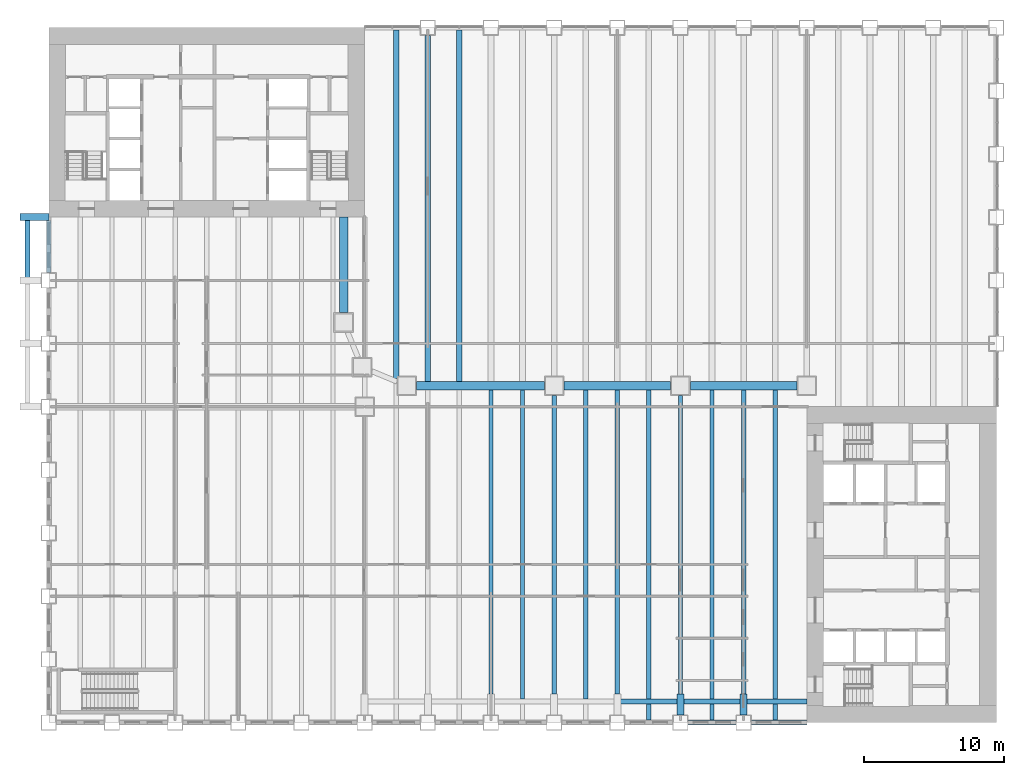
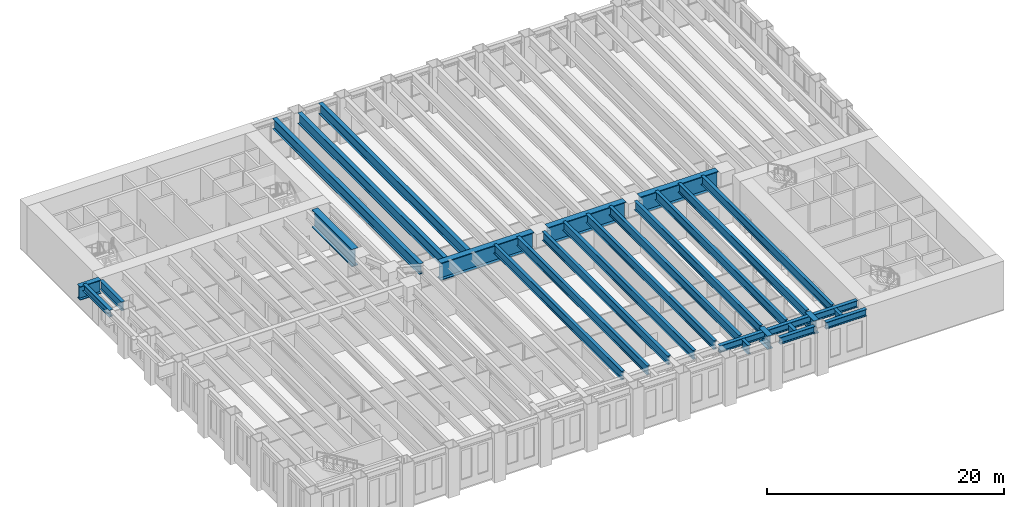
# One storey, part 2 of 21: 30 beams.
"""IFC4 building model written with IfcOpenShell, lengths in metres."""

from ifc_helpers import new_model, si_unit, direction, frame, origin, origin_2d, place, context, subcontext, project, spatial, i_section, extrude, material, material_profile, profile_set, type_object, element, save


model = new_model("IFC4")

# Units and contexts
model_context = context("Model", 3, precision=1e-05, world=origin(), true_north=direction((0.0, 1.0)))
body_context = subcontext(model_context, "Body", "Model", "MODEL_VIEW")
ifc_project = project(units=[si_unit("LENGTHUNIT", "METRE"), si_unit("AREAUNIT", "SQUARE_METRE"), si_unit("VOLUMEUNIT", "CUBIC_METRE"), si_unit("PLANEANGLEUNIT", "RADIAN"), si_unit("MASSUNIT", "GRAM", prefix="KILO")], contexts=[model_context])

# Site, building, storey
site_placement = place(None, origin())
site = spatial("IfcSite", under=ifc_project, at=site_placement, CompositionType="ELEMENT")
building_placement = place(site_placement, origin())
building = spatial("IfcBuilding", under=site, at=building_placement, Name="Sennacour Bend Tower", CompositionType="ELEMENT")
storey_placement = place(building_placement, frame((0.0, 0.0, 24.0)))
storey = spatial("IfcBuildingStorey", under=building, at=storey_placement, Name="L04", CompositionType="ELEMENT", Elevation=24.0)

# Beams
ifc_material_1 = material(Name="Steel ASTM A992 Grade 50", Category="steel")
ifc_material_profile_1 = material_profile(ifc_material_1, i_section(OverallWidth=0.304931640625, OverallDepth=0.912109375, WebThickness=0.015869140625, FlangeThickness=0.02392578125, FilletRadius=0.01904296875, at=origin_2d()), Name="Steel ASTM A992 Grade 50", Category="steel")
ifc_profile_set_1 = profile_set([ifc_material_profile_1], Name="Steel ASTM A992 Grade 50")
beam_type_1 = type_object("IfcBeamType", Name="Floor beam W920X223", PredefinedType="BEAM", material=ifc_profile_set_1)
beam_1_placement = place(storey_placement, frame((0.0, 32.050048828125, 4.39404296875), z_axis=(0.0, 1.0, 0.0), x_axis=(-1.0, 0.0, 0.0)))
element("IfcBeam", 1, at=beam_1_placement, inside=storey, type_object=beam_type_1, Name="Floor beam FBM1 L05-003", PredefinedType="BEAM", context=body_context, shape_type="SweptSolid", body=[
    extrude(i_section(OverallWidth=0.304931640625, OverallDepth=0.912109375, WebThickness=0.015869140625, FlangeThickness=0.02392578125, FilletRadius=0.01904296875, at=origin_2d()), origin(), (0.0, 0.0, 1.0), 3.699951171875),
])
beam_2_placement = place(storey_placement, frame((31.5, 2.050048828125, 4.39404296875), z_axis=(0.0, 1.0, 0.0), x_axis=(-1.0, 0.0, 0.0)))
element("IfcBeam", 2, at=beam_2_placement, inside=storey, type_object=beam_type_1, Name="Floor beam FBM1 L05-033", PredefinedType="BEAM", context=body_context, shape_type="SweptSolid", body=[
    extrude(i_section(OverallWidth=0.304931640625, OverallDepth=0.912109375, WebThickness=0.015869140625, FlangeThickness=0.02392578125, FilletRadius=0.01904296875, at=origin_2d()), origin(), (0.0, 0.0, 1.0), 21.64990234375),
])
beam_3_placement = place(storey_placement, frame((33.75, 1.678955078125, 4.39404296875), z_axis=(0.0, 1.0, 0.0), x_axis=(-1.0, 0.0, 0.0)))
element("IfcBeam", 3, at=beam_3_placement, inside=storey, type_object=beam_type_1, Name="Floor beam FBM1 L05-036", PredefinedType="BEAM", context=body_context, shape_type="SweptSolid", body=[
    extrude(i_section(OverallWidth=0.304931640625, OverallDepth=0.912109375, WebThickness=0.015869140625, FlangeThickness=0.02392578125, FilletRadius=0.01904296875, at=origin_2d()), origin(), (0.0, 0.0, 1.0), 22.02099609375),
])
beam_4_placement = place(storey_placement, frame((36.0, 2.050048828125, 4.39404296875), z_axis=(0.0, 1.0, 0.0), x_axis=(-1.0, 0.0, 0.0)))
element("IfcBeam", 4, at=beam_4_placement, inside=storey, type_object=beam_type_1, Name="Floor beam FBM1 L05-038", PredefinedType="BEAM", context=body_context, shape_type="SweptSolid", body=[
    extrude(i_section(OverallWidth=0.304931640625, OverallDepth=0.912109375, WebThickness=0.015869140625, FlangeThickness=0.02392578125, FilletRadius=0.01904296875, at=origin_2d()), origin(), (0.0, 0.0, 1.0), 21.25),
])
beam_5_placement = place(storey_placement, frame((38.25, 1.678955078125, 4.39404296875), z_axis=(0.0, 1.0, 0.0), x_axis=(-1.0, 0.0, 0.0)))
element("IfcBeam", 5, at=beam_5_placement, inside=storey, type_object=beam_type_1, Name="Floor beam FBM1 L05-041", PredefinedType="BEAM", context=body_context, shape_type="SweptSolid", body=[
    extrude(i_section(OverallWidth=0.304931640625, OverallDepth=0.912109375, WebThickness=0.015869140625, FlangeThickness=0.02392578125, FilletRadius=0.01904296875, at=origin_2d()), origin(), (0.0, 0.0, 1.0), 22.02099609375),
])
beam_6_placement = place(storey_placement, frame((40.5, 2.050048828125, 4.39404296875), z_axis=(0.0, 1.0, 0.0), x_axis=(-1.0, 0.0, 0.0)))
element("IfcBeam", 6, at=beam_6_placement, inside=storey, type_object=beam_type_1, Name="Floor beam FBM1 L05-043", PredefinedType="BEAM", context=body_context, shape_type="SweptSolid", body=[
    extrude(i_section(OverallWidth=0.304931640625, OverallDepth=0.912109375, WebThickness=0.015869140625, FlangeThickness=0.02392578125, FilletRadius=0.01904296875, at=origin_2d()), origin(), (0.0, 0.0, 1.0), 21.64990234375),
])
beam_7_placement = place(storey_placement, frame((42.75, 0.178955078125, 4.243896484375), z_axis=(0.0, 1.0, 0.0), x_axis=(-1.0, 0.0, 0.0)))
element("IfcBeam", 7, at=beam_7_placement, inside=storey, type_object=beam_type_1, Name="Floor beam FBM1 L05-045", PredefinedType="BEAM", context=body_context, shape_type="SweptSolid", body=[
    extrude(i_section(OverallWidth=0.304931640625, OverallDepth=0.912109375, WebThickness=0.015869140625, FlangeThickness=0.02392578125, FilletRadius=0.01904296875, at=origin_2d()), origin(), (0.0, 0.0, 1.0), 1.14208984375),
])
beam_8_placement = place(storey_placement, frame((42.75, 1.678955078125, 4.39404296875), z_axis=(0.0, 1.0, 0.0), x_axis=(-1.0, 0.0, 0.0)))
element("IfcBeam", 8, at=beam_8_placement, inside=storey, type_object=beam_type_1, Name="Floor beam FBM1 L05-046", PredefinedType="BEAM", context=body_context, shape_type="SweptSolid", body=[
    extrude(i_section(OverallWidth=0.304931640625, OverallDepth=0.912109375, WebThickness=0.015869140625, FlangeThickness=0.02392578125, FilletRadius=0.01904296875, at=origin_2d()), origin(), (0.0, 0.0, 1.0), 22.02099609375),
])
beam_9_placement = place(storey_placement, frame((45.0, 2.050048828125, 4.39404296875), z_axis=(0.0, 1.0, 0.0), x_axis=(-1.0, 0.0, 0.0)))
element("IfcBeam", 9, at=beam_9_placement, inside=storey, type_object=beam_type_1, Name="Floor beam FBM1 L05-048", PredefinedType="BEAM", context=body_context, shape_type="SweptSolid", body=[
    extrude(i_section(OverallWidth=0.304931640625, OverallDepth=0.912109375, WebThickness=0.015869140625, FlangeThickness=0.02392578125, FilletRadius=0.01904296875, at=origin_2d()), origin(), (0.0, 0.0, 1.0), 21.25),
])
beam_10_placement = place(storey_placement, frame((47.25, 0.178955078125, 4.243896484375), z_axis=(0.0, 1.0, 0.0), x_axis=(-1.0, 0.0, 0.0)))
element("IfcBeam", 10, at=beam_10_placement, inside=storey, type_object=beam_type_1, Name="Floor beam FBM1 L05-050", PredefinedType="BEAM", context=body_context, shape_type="SweptSolid", body=[
    extrude(i_section(OverallWidth=0.304931640625, OverallDepth=0.912109375, WebThickness=0.015869140625, FlangeThickness=0.02392578125, FilletRadius=0.01904296875, at=origin_2d()), origin(), (0.0, 0.0, 1.0), 1.14208984375),
])
beam_11_placement = place(storey_placement, frame((47.25, 1.678955078125, 4.39404296875), z_axis=(0.0, 1.0, 0.0), x_axis=(-1.0, 0.0, 0.0)))
element("IfcBeam", 11, at=beam_11_placement, inside=storey, type_object=beam_type_1, Name="Floor beam FBM1 L05-051", PredefinedType="BEAM", context=body_context, shape_type="SweptSolid", body=[
    extrude(i_section(OverallWidth=0.304931640625, OverallDepth=0.912109375, WebThickness=0.015869140625, FlangeThickness=0.02392578125, FilletRadius=0.01904296875, at=origin_2d()), origin(), (0.0, 0.0, 1.0), 22.02099609375),
])
beam_12_placement = place(storey_placement, frame((49.5, 2.050048828125, 4.39404296875), z_axis=(0.0, 1.0, 0.0), x_axis=(-1.0, 0.0, 0.0)))
element("IfcBeam", 12, at=beam_12_placement, inside=storey, type_object=beam_type_1, Name="Floor beam FBM1 L05-053", PredefinedType="BEAM", context=body_context, shape_type="SweptSolid", body=[
    extrude(i_section(OverallWidth=0.304931640625, OverallDepth=0.912109375, WebThickness=0.015869140625, FlangeThickness=0.02392578125, FilletRadius=0.01904296875, at=origin_2d()), origin(), (0.0, 0.0, 1.0), 21.64990234375),
])
beam_13_placement = place(storey_placement, frame((51.75, 0.178955078125, 4.243896484375), z_axis=(0.0, 1.0, 0.0), x_axis=(-1.0, 0.0, 0.0)))
element("IfcBeam", 13, at=beam_13_placement, inside=storey, type_object=beam_type_1, Name="Floor beam FBM1 L05-055", PredefinedType="BEAM", context=body_context, shape_type="SweptSolid", body=[
    extrude(i_section(OverallWidth=0.304931640625, OverallDepth=0.912109375, WebThickness=0.015869140625, FlangeThickness=0.02392578125, FilletRadius=0.01904296875, at=origin_2d()), origin(), (0.0, 0.0, 1.0), 1.14208984375),
])
beam_14_placement = place(storey_placement, frame((51.75, 1.678955078125, 4.39404296875), z_axis=(0.0, 1.0, 0.0), x_axis=(-1.0, 0.0, 0.0)))
element("IfcBeam", 14, at=beam_14_placement, inside=storey, type_object=beam_type_1, Name="Floor beam FBM1 L05-056", PredefinedType="BEAM", context=body_context, shape_type="SweptSolid", body=[
    extrude(i_section(OverallWidth=0.304931640625, OverallDepth=0.912109375, WebThickness=0.015869140625, FlangeThickness=0.02392578125, FilletRadius=0.01904296875, at=origin_2d()), origin(), (0.0, 0.0, 1.0), 22.02099609375),
])
ifc_material_profile_2 = material_profile(ifc_material_1, i_section(OverallWidth=0.40087890625, OverallDepth=1.090087890625, WebThickness=0.01806640625, FlangeThickness=0.031005859375, FilletRadius=0.02001953125, at=origin_2d()), Name="Steel ASTM A992 Grade 50", Category="steel")
ifc_profile_set_2 = profile_set([ifc_material_profile_2], Name="Steel ASTM A992 Grade 50")
beam_type_2 = type_object("IfcBeamType", Name="Notch floor beam W1100X343", PredefinedType="BEAM", material=ifc_profile_set_2)
beam_15_placement = place(storey_placement, frame((24.75, 24.50439453125, 4.155029296875), z_axis=(0.0, 1.0, 0.0), x_axis=(-1.0, 0.0, 0.0)))
element("IfcBeam", 15, at=beam_15_placement, inside=storey, type_object=beam_type_2, Name="Floor beam FBM4 L05-027", PredefinedType="BEAM", context=body_context, shape_type="SweptSolid", body=[
    extrude(i_section(OverallWidth=0.40087890625, OverallDepth=1.090087890625, WebThickness=0.01806640625, FlangeThickness=0.031005859375, FilletRadius=0.02001953125, at=origin_2d()), origin(), (0.0, 0.0, 1.0), 24.816650390625),
])
beam_16_placement = place(storey_placement, frame((27.0, 24.300048828125, 4.155029296875), z_axis=(0.0, 1.0, 0.0), x_axis=(-1.0, 0.0, 0.0)))
element("IfcBeam", 16, at=beam_16_placement, inside=storey, type_object=beam_type_2, Name="Floor beam FBM4 L05-029", PredefinedType="BEAM", context=body_context, shape_type="SweptSolid", body=[
    extrude(i_section(OverallWidth=0.40087890625, OverallDepth=1.090087890625, WebThickness=0.01806640625, FlangeThickness=0.031005859375, FilletRadius=0.02001953125, at=origin_2d()), origin(), (0.0, 0.0, 1.0), 24.64990234375),
])
beam_17_placement = place(storey_placement, frame((29.25, 24.300048828125, 4.155029296875), z_axis=(0.0, 1.0, 0.0), x_axis=(-1.0, 0.0, 0.0)))
element("IfcBeam", 17, at=beam_17_placement, inside=storey, type_object=beam_type_2, Name="Floor beam FBM4 L05-032", PredefinedType="BEAM", context=body_context, shape_type="SweptSolid", body=[
    extrude(i_section(OverallWidth=0.40087890625, OverallDepth=1.090087890625, WebThickness=0.01806640625, FlangeThickness=0.031005859375, FilletRadius=0.02001953125, at=origin_2d()), origin(), (0.0, 0.0, 1.0), 25.02099609375),
])
ifc_material_2 = material(Name="Steel ASTM A572 Grade 50", Category="steel")
ifc_material_profile_3 = material_profile(ifc_material_2, i_section(OverallWidth=0.60009765625, OverallDepth=1.800048828125, WebThickness=0.0400390625, FlangeThickness=0.070068359375, at=origin_2d()), Name="Steel ASTM A572 Grade 50", Category="steel")
ifc_profile_set_3 = profile_set([ifc_material_profile_3], Name="Steel ASTM A572 Grade 50")
beam_type_3 = type_object("IfcBeamType", Name="Podium transfer girder 1800", PredefinedType="USERDEFINED", material=ifc_profile_set_3)
for number, where, z_axis, x_axis, name in (
    (18, (53.300048828125, 24.0, 3.800048828125), (-1.0, 0.0, 0.0), (0.0, -1.0, 0.0), "Podium transfer girder TG1 L05-001"),
    (19, (44.300048828125, 24.0, 3.800048828125), (-1.0, 0.0, 0.0), (0.0, -1.0, 0.0), "Podium transfer girder TG1 L05-002"),
):
    element("IfcBeam", number, at=place(storey_placement, frame(where, z_axis=z_axis, x_axis=x_axis)), inside=storey, type_object=beam_type_3, Name=name, ObjectType="TRANSFER GIRDER", PredefinedType="USERDEFINED", context=body_context, shape_type="SweptSolid", body=[
        extrude(i_section(OverallWidth=0.60009765625, OverallDepth=1.800048828125, WebThickness=0.0400390625, FlangeThickness=0.070068359375, at=origin_2d()), origin(), (0.0, 0.0, 1.0), 7.60009765625),
    ])
beam_18_placement = place(storey_placement, frame((35.300048828125, 24.0, 3.800048828125), z_axis=(-1.0, 0.0, 0.0), x_axis=(0.0, -1.0, 0.0)))
element("IfcBeam", 20, at=beam_18_placement, inside=storey, type_object=beam_type_3, Name="Podium transfer girder TG1 L05-003", ObjectType="TRANSFER GIRDER", PredefinedType="USERDEFINED", context=body_context, shape_type="SweptSolid", body=[
    extrude(i_section(OverallWidth=0.60009765625, OverallDepth=1.800048828125, WebThickness=0.0400390625, FlangeThickness=0.070068359375, at=origin_2d()), origin(), (0.0, 0.0, 1.0), 9.10009765625),
])
beam_19_placement = place(storey_placement, frame((21.0, 29.199951171875, 3.800048828125), z_axis=(0.0, 1.0, 0.0), x_axis=(-1.0, 0.0, 0.0)))
element("IfcBeam", 21, at=beam_19_placement, inside=storey, type_object=beam_type_3, Name="Podium transfer girder TG1 L05-004", ObjectType="TRANSFER GIRDER", PredefinedType="USERDEFINED", context=body_context, shape_type="SweptSolid", body=[
    extrude(i_section(OverallWidth=0.60009765625, OverallDepth=1.800048828125, WebThickness=0.0400390625, FlangeThickness=0.070068359375, at=origin_2d()), origin(), (0.0, 0.0, 1.0), 6.800048828125),
])
ifc_material_profile_4 = material_profile(ifc_material_1, i_section(OverallWidth=0.35791015625, OverallDepth=0.7060546875, WebThickness=0.018310546875, FlangeThickness=0.0302734375, FilletRadius=0.02001953125, at=origin_2d()), Name="Steel ASTM A992 Grade 50", Category="steel")
ifc_profile_set_4 = profile_set([ifc_material_profile_4], Name="Steel ASTM A992 Grade 50")
beam_type_4 = type_object("IfcBeamType", Name="Spandrel beam W690X265", PredefinedType="SPANDREL", material=ifc_profile_set_4)
beam_20_placement = place(storey_placement, frame((-1.5, 31.514892578125, 4.4970703125), z_axis=(0.0, 1.0, 0.0), x_axis=(-1.0, 0.0, 0.0)))
element("IfcBeam", 22, at=beam_20_placement, inside=storey, type_object=beam_type_4, Name="Spandrel beam SP2 L05-008", PredefinedType="SPANDREL", context=body_context, shape_type="SweptSolid", body=[
    extrude(i_section(OverallWidth=0.35791015625, OverallDepth=0.7060546875, WebThickness=0.018310546875, FlangeThickness=0.0302734375, FilletRadius=0.02001953125, at=origin_2d()), origin(), (0.0, 0.0, 1.0), 4.47021484375),
])
beam_21_placement = place(storey_placement, frame((54.0, 1.5, 4.346923828125), z_axis=(-1.0, 0.0, 0.0), x_axis=(0.0, -1.0, 0.0)))
element("IfcBeam", 23, at=beam_21_placement, inside=storey, type_object=beam_type_4, Name="Spandrel beam SP2 L05-011", PredefinedType="SPANDREL", context=body_context, shape_type="SweptSolid", body=[
    extrude(i_section(OverallWidth=0.35791015625, OverallDepth=0.7060546875, WebThickness=0.018310546875, FlangeThickness=0.0302734375, FilletRadius=0.02001953125, at=origin_2d()), origin(), (0.0, 0.0, 1.0), 4.485107421875),
])
for number, where, z_axis, x_axis, name in (
    (24, (49.485107421875, 1.5, 4.346923828125), (-1.0, 0.0, 0.0), (0.0, -1.0, 0.0), "Spandrel beam SP2 L05-012"),
    (25, (44.985107421875, 1.5, 4.346923828125), (-1.0, 0.0, 0.0), (0.0, -1.0, 0.0), "Spandrel beam SP2 L05-013"),
):
    element("IfcBeam", number, at=place(storey_placement, frame(where, z_axis=z_axis, x_axis=x_axis)), inside=storey, type_object=beam_type_4, Name=name, PredefinedType="SPANDREL", context=body_context, shape_type="SweptSolid", body=[
        extrude(i_section(OverallWidth=0.35791015625, OverallDepth=0.7060546875, WebThickness=0.018310546875, FlangeThickness=0.0302734375, FilletRadius=0.02001953125, at=origin_2d()), origin(), (0.0, 0.0, 1.0), 4.47021484375),
    ])
beam_22_placement = place(storey_placement, frame((54.0, 0.0, 4.346923828125), z_axis=(-1.0, 0.0, 0.0), x_axis=(0.0, -1.0, 0.0)))
element("IfcBeam", 26, at=beam_22_placement, inside=storey, type_object=beam_type_4, Name="Spandrel beam SP2 L05-039", PredefinedType="SPANDREL", context=body_context, shape_type="SweptSolid", body=[
    extrude(i_section(OverallWidth=0.35791015625, OverallDepth=0.7060546875, WebThickness=0.018310546875, FlangeThickness=0.0302734375, FilletRadius=0.02001953125, at=origin_2d()), origin(), (0.0, 0.0, 1.0), 3.949951171875),
])
beam_23_placement = place(storey_placement, frame((48.949951171875, 0.0, 4.346923828125), z_axis=(-1.0, 0.0, 0.0), x_axis=(0.0, -1.0, 0.0)))
element("IfcBeam", 27, at=beam_23_placement, inside=storey, type_object=beam_type_4, Name="Spandrel beam SP2 L05-040", PredefinedType="SPANDREL", context=body_context, shape_type="SweptSolid", body=[
    extrude(i_section(OverallWidth=0.35791015625, OverallDepth=0.7060546875, WebThickness=0.018310546875, FlangeThickness=0.0302734375, FilletRadius=0.02001953125, at=origin_2d()), origin(), (0.0, 0.0, 1.0), 3.39990234375),
])
ifc_material_profile_5 = material_profile(ifc_material_2, i_section(OverallWidth=0.5, OverallDepth=1.39990234375, WebThickness=0.030029296875, FlangeThickness=0.054931640625, at=origin_2d()), Name="Steel ASTM A572 Grade 50", Category="steel")
ifc_profile_set_5 = profile_set([ifc_material_profile_5], Name="Steel ASTM A572 Grade 50")
beam_type_5 = type_object("IfcBeamType", Name="Transfer stub 1400", PredefinedType="USERDEFINED", material=ifc_profile_set_5)
beam_24_placement = place(storey_placement, frame((0.0, 36.0, 4.14990234375), z_axis=(-1.0, 0.0, 0.0), x_axis=(0.0, -1.0, 0.0)))
element("IfcBeam", 28, at=beam_24_placement, inside=storey, type_object=beam_type_5, Name="Transfer beam TS L05-004", ObjectType="TRANSFER BEAM", PredefinedType="USERDEFINED", context=body_context, shape_type="SweptSolid", body=[
    extrude(i_section(OverallWidth=0.5, OverallDepth=1.39990234375, WebThickness=0.030029296875, FlangeThickness=0.054931640625, at=origin_2d()), origin(), (0.0, 0.0, 1.0), 2.050048828125),
])
for number, where, z_axis, x_axis, name in (
    (29, (45.0, 0.550048828125, 4.0), (0.0, 1.0, 0.0), (-1.0, 0.0, 0.0), "Transfer beam TS L05-010"),
    (30, (49.5, 0.550048828125, 4.0), (0.0, 1.0, 0.0), (-1.0, 0.0, 0.0), "Transfer beam TS L05-011"),
):
    element("IfcBeam", number, at=place(storey_placement, frame(where, z_axis=z_axis, x_axis=x_axis)), inside=storey, type_object=beam_type_5, Name=name, ObjectType="TRANSFER BEAM", PredefinedType="USERDEFINED", context=body_context, shape_type="SweptSolid", body=[
        extrude(i_section(OverallWidth=0.5, OverallDepth=1.39990234375, WebThickness=0.030029296875, FlangeThickness=0.054931640625, at=origin_2d()), origin(), (0.0, 0.0, 1.0), 1.5),
    ])

save(model, "model.ifc")
